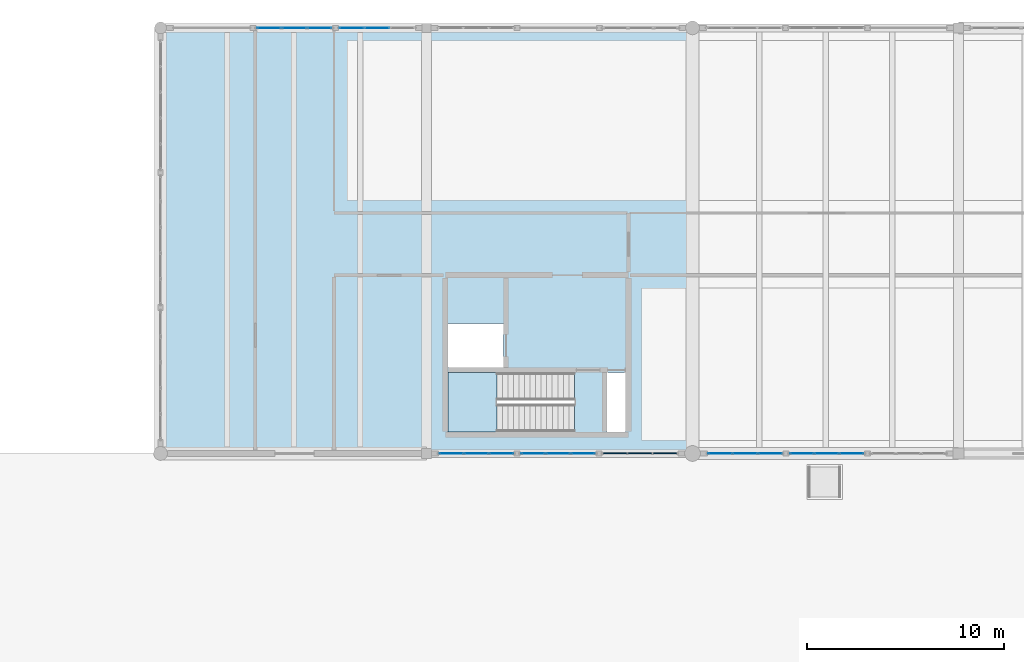
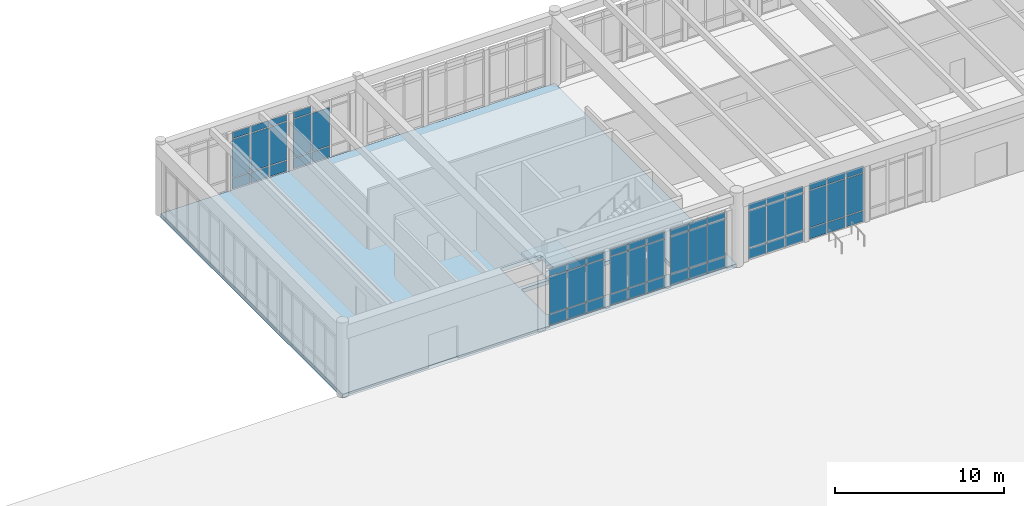
# One storey, part 95 of 138: 59 plates, 2 slabs, 8 elements without a shape of their own.
"""IFC4 building model written with IfcOpenShell, lengths in metres."""

from ifc_helpers import new_model, si_unit, direction, frame, origin, origin_2d, place, context, subcontext, project, spatial, polyline, rectangle, outline, extrude, material, layer, layer_set, type_object, element, aggregate, save


model = new_model("IFC4")

# Units and contexts
model_context = context("Model", 3, precision=1e-05, world=origin(), true_north=direction((0.0, 1.0)))
body_context = subcontext(model_context, "Body", "Model", "MODEL_VIEW")
ifc_project = project(units=[si_unit("LENGTHUNIT", "METRE"), si_unit("AREAUNIT", "SQUARE_METRE"), si_unit("VOLUMEUNIT", "CUBIC_METRE"), si_unit("PLANEANGLEUNIT", "RADIAN"), si_unit("MASSUNIT", "GRAM", prefix="KILO")], contexts=[model_context])

# Site, building, storey
site_placement = place(None, origin())
site = spatial("IfcSite", under=ifc_project, at=site_placement, CompositionType="ELEMENT")
building_placement = place(site_placement, origin())
building = spatial("IfcBuilding", under=site, at=building_placement, Name="Fikremerkos Civic Library", CompositionType="ELEMENT")
storey_placement = place(building_placement, origin())
storey = spatial("IfcBuildingStorey", under=building, at=storey_placement, Name="L00", CompositionType="ELEMENT", Elevation=0.0)

# Curtain wall, plates
ifc_material_1 = material(Name="Anodized aluminium Frame", Category="aluminium")
ifc_layer_1 = layer(ifc_material_1, 0.159912109375, Name="Anodized aluminium Frame")
ifc_layer_set_1 = layer_set([ifc_layer_1], Name="Anodized aluminium Frame")
curtain_wall_type_1 = type_object("IfcCurtainWallType", Name="Unitised curtain wall CW-17 4600x3600", PredefinedType="USERDEFINED", material=ifc_layer_set_1)
curtain_wall_1_placement = place(storey_placement, origin())
curtain_wall_1 = element("IfcCurtainWall", 1, at=curtain_wall_1_placement, inside=storey, type_object=curtain_wall_type_1, Name="Unitised curtain wall CW-17 L00 #35", ObjectType="UNITISED CURTAIN WALL", PredefinedType="USERDEFINED")
ifc_material_2 = material(Name="Solar control double glazing", Category="glass")
ifc_layer_2 = layer(ifc_material_2, 0.028076171875, Name="Solar control double glazing")
ifc_layer_set_2 = layer_set([ifc_layer_2], Name="Solar control double glazing")
plate_type_1 = type_object("IfcPlateType", Name="Curtain glazing panel CWP-01 28", PredefinedType="CURTAIN_PANEL", material=ifc_layer_set_2)
plate_1_placement = place(storey_placement, frame((81.142578125, 96.0, 0.06982421875), z_axis=(0.0, 0.0, 1.0), x_axis=(-1.0, 0.0, 0.0)))
plate_1 = element("IfcPlate", 2, at=plate_1_placement, type_object=plate_type_1, Name="CW-17 panel 1.1", PredefinedType="CURTAIN_PANEL", context=body_context, shape_type="SweptSolid", body=[
    extrude(rectangle(XDim=1.186279296875, YDim=0.028076171875, at=origin_2d()), origin(), (0.0, 0.0, 1.0), 0.7451171875),
])
plate_2_placement = place(storey_placement, frame((81.142578125, 96.0, 0.88525390625), z_axis=(0.0, 0.0, 1.0), x_axis=(-1.0, 0.0, 0.0)))
plate_2 = element("IfcPlate", 3, at=plate_2_placement, type_object=plate_type_1, Name="CW-17 panel 1.2", PredefinedType="CURTAIN_PANEL", context=body_context, shape_type="SweptSolid", body=[
    extrude(rectangle(XDim=1.186279296875, YDim=0.028076171875, at=origin_2d()), origin(), (0.0, 0.0, 1.0), 2.659912109375),
])
plate_3_placement = place(storey_placement, frame((81.142578125, 96.0, 3.61474609375), z_axis=(0.0, 0.0, 1.0), x_axis=(-1.0, 0.0, 0.0)))
plate_3 = element("IfcPlate", 4, at=plate_3_placement, type_object=plate_type_1, Name="CW-17 panel 1.3", PredefinedType="CURTAIN_PANEL", context=body_context, shape_type="SweptSolid", body=[
    extrude(rectangle(XDim=1.186279296875, YDim=0.028076171875, at=origin_2d()), origin(), (0.0, 0.0, 1.0), 0.445068359375),
])
plate_4_placement = place(storey_placement, frame((79.875, 96.0, 0.06982421875), z_axis=(0.0, 0.0, 1.0), x_axis=(-1.0, 0.0, 0.0)))
plate_4 = element("IfcPlate", 5, at=plate_4_placement, type_object=plate_type_1, Name="CW-17 panel 2.1", PredefinedType="CURTAIN_PANEL", context=body_context, shape_type="SweptSolid", body=[
    extrude(rectangle(XDim=1.21875, YDim=0.028076171875, at=origin_2d()), origin(), (0.0, 0.0, 1.0), 0.7451171875),
])
plate_5_placement = place(storey_placement, frame((79.875, 96.0, 0.88525390625), z_axis=(0.0, 0.0, 1.0), x_axis=(-1.0, 0.0, 0.0)))
plate_5 = element("IfcPlate", 6, at=plate_5_placement, type_object=plate_type_1, Name="CW-17 panel 2.2", PredefinedType="CURTAIN_PANEL", context=body_context, shape_type="SweptSolid", body=[
    extrude(rectangle(XDim=1.21875, YDim=0.028076171875, at=origin_2d()), origin(), (0.0, 0.0, 1.0), 2.659912109375),
])
plate_6_placement = place(storey_placement, frame((79.875, 96.0, 3.61474609375), z_axis=(0.0, 0.0, 1.0), x_axis=(-1.0, 0.0, 0.0)))
plate_6 = element("IfcPlate", 7, at=plate_6_placement, type_object=plate_type_1, Name="CW-17 panel 2.3", PredefinedType="CURTAIN_PANEL", context=body_context, shape_type="SweptSolid", body=[
    extrude(rectangle(XDim=1.21875, YDim=0.028076171875, at=origin_2d()), origin(), (0.0, 0.0, 1.0), 0.445068359375),
])
plate_7_placement = place(storey_placement, frame((78.607421875, 96.0, 0.06982421875), z_axis=(0.0, 0.0, 1.0), x_axis=(-1.0, 0.0, 0.0)))
plate_7 = element("IfcPlate", 8, at=plate_7_placement, type_object=plate_type_1, Name="CW-17 panel 3.1", PredefinedType="CURTAIN_PANEL", context=body_context, shape_type="SweptSolid", body=[
    extrude(rectangle(XDim=1.186279296875, YDim=0.028076171875, at=origin_2d()), origin(), (0.0, 0.0, 1.0), 0.7451171875),
])
plate_8_placement = place(storey_placement, frame((78.607421875, 96.0, 0.88525390625), z_axis=(0.0, 0.0, 1.0), x_axis=(-1.0, 0.0, 0.0)))
plate_8 = element("IfcPlate", 9, at=plate_8_placement, type_object=plate_type_1, Name="CW-17 panel 3.2", PredefinedType="CURTAIN_PANEL", context=body_context, shape_type="SweptSolid", body=[
    extrude(rectangle(XDim=1.186279296875, YDim=0.028076171875, at=origin_2d()), origin(), (0.0, 0.0, 1.0), 2.659912109375),
])
plate_9_placement = place(storey_placement, frame((78.607421875, 96.0, 3.61474609375), z_axis=(0.0, 0.0, 1.0), x_axis=(-1.0, 0.0, 0.0)))
plate_9 = element("IfcPlate", 10, at=plate_9_placement, type_object=plate_type_1, Name="CW-17 panel 3.3", PredefinedType="CURTAIN_PANEL", context=body_context, shape_type="SweptSolid", body=[
    extrude(rectangle(XDim=1.186279296875, YDim=0.028076171875, at=origin_2d()), origin(), (0.0, 0.0, 1.0), 0.445068359375),
])
aggregate(curtain_wall_1, [plate_1, plate_2, plate_3, plate_4, plate_5, plate_6, plate_7, plate_8, plate_9])

ifc_layer_3 = layer(ifc_material_1, 0.159912109375, Name="Anodized aluminium Frame")
ifc_layer_set_3 = layer_set([ifc_layer_3], Name="Anodized aluminium Frame")
curtain_wall_type_2 = type_object("IfcCurtainWallType", Name="Unitised curtain wall CW-05 3800x4100", PredefinedType="USERDEFINED", material=ifc_layer_set_3)
curtain_wall_2_placement = place(storey_placement, origin())
curtain_wall_2 = element("IfcCurtainWall", 11, at=curtain_wall_2_placement, inside=storey, type_object=curtain_wall_type_2, Name="Unitised curtain wall CW-05 L00 #41", ObjectType="UNITISED CURTAIN WALL", PredefinedType="USERDEFINED")
plate_10_placement = place(storey_placement, frame((65.2060546875, 117.60009765625, 0.06005859375), z_axis=(0.0, 0.0, 1.0), x_axis=(1.0, 0.0, 0.0)))
plate_10 = element("IfcPlate", 12, at=plate_10_placement, type_object=plate_type_1, Name="CW-05 panel 1.1", PredefinedType="CURTAIN_PANEL", context=body_context, shape_type="SweptSolid", body=[
    extrude(rectangle(XDim=1.2001953125, YDim=0.028076171875, at=origin_2d()), origin(), (0.0, 0.0, 1.0), 0.760009765625),
])
plate_11_placement = place(storey_placement, frame((65.2060546875, 117.60009765625, 0.8798828125), z_axis=(0.0, 0.0, 1.0), x_axis=(1.0, 0.0, 0.0)))
plate_11 = element("IfcPlate", 13, at=plate_11_placement, type_object=plate_type_1, Name="CW-05 panel 1.2", PredefinedType="CURTAIN_PANEL", context=body_context, shape_type="SweptSolid", body=[
    extrude(rectangle(XDim=1.2001953125, YDim=0.028076171875, at=origin_2d()), origin(), (0.0, 0.0, 1.0), 2.760009765625),
])
plate_12_placement = place(storey_placement, frame((65.2060546875, 117.60009765625, 3.699951171875), z_axis=(0.0, 0.0, 1.0), x_axis=(1.0, 0.0, 0.0)))
plate_12 = element("IfcPlate", 14, at=plate_12_placement, type_object=plate_type_1, Name="CW-05 panel 1.3", PredefinedType="CURTAIN_PANEL", context=body_context, shape_type="SweptSolid", body=[
    extrude(rectangle(XDim=1.2001953125, YDim=0.028076171875, at=origin_2d()), origin(), (0.0, 0.0, 1.0), 0.4599609375),
])
plate_13_placement = place(storey_placement, frame((66.487548828125, 117.60009765625, 0.06005859375), z_axis=(0.0, 0.0, 1.0), x_axis=(1.0, 0.0, 0.0)))
plate_13 = element("IfcPlate", 15, at=plate_13_placement, type_object=plate_type_1, Name="CW-05 panel 2.1", PredefinedType="CURTAIN_PANEL", context=body_context, shape_type="SweptSolid", body=[
    extrude(rectangle(XDim=1.232666015625, YDim=0.028076171875, at=origin_2d()), origin(), (0.0, 0.0, 1.0), 0.760009765625),
])
plate_14_placement = place(storey_placement, frame((66.487548828125, 117.60009765625, 0.8798828125), z_axis=(0.0, 0.0, 1.0), x_axis=(1.0, 0.0, 0.0)))
plate_14 = element("IfcPlate", 16, at=plate_14_placement, type_object=plate_type_1, Name="CW-05 panel 2.2", PredefinedType="CURTAIN_PANEL", context=body_context, shape_type="SweptSolid", body=[
    extrude(rectangle(XDim=1.232666015625, YDim=0.028076171875, at=origin_2d()), origin(), (0.0, 0.0, 1.0), 2.760009765625),
])
plate_15_placement = place(storey_placement, frame((66.487548828125, 117.60009765625, 3.699951171875), z_axis=(0.0, 0.0, 1.0), x_axis=(1.0, 0.0, 0.0)))
plate_15 = element("IfcPlate", 17, at=plate_15_placement, type_object=plate_type_1, Name="CW-05 panel 2.3", PredefinedType="CURTAIN_PANEL", context=body_context, shape_type="SweptSolid", body=[
    extrude(rectangle(XDim=1.232666015625, YDim=0.028076171875, at=origin_2d()), origin(), (0.0, 0.0, 1.0), 0.4599609375),
])
plate_16_placement = place(storey_placement, frame((67.768798828125, 117.60009765625, 0.06005859375), z_axis=(0.0, 0.0, 1.0), x_axis=(1.0, 0.0, 0.0)))
plate_16 = element("IfcPlate", 18, at=plate_16_placement, type_object=plate_type_1, Name="CW-05 panel 3.1", PredefinedType="CURTAIN_PANEL", context=body_context, shape_type="SweptSolid", body=[
    extrude(rectangle(XDim=1.2001953125, YDim=0.028076171875, at=origin_2d()), origin(), (0.0, 0.0, 1.0), 0.760009765625),
])
plate_17_placement = place(storey_placement, frame((67.768798828125, 117.60009765625, 0.8798828125), z_axis=(0.0, 0.0, 1.0), x_axis=(1.0, 0.0, 0.0)))
plate_17 = element("IfcPlate", 19, at=plate_17_placement, type_object=plate_type_1, Name="CW-05 panel 3.2", PredefinedType="CURTAIN_PANEL", context=body_context, shape_type="SweptSolid", body=[
    extrude(rectangle(XDim=1.2001953125, YDim=0.028076171875, at=origin_2d()), origin(), (0.0, 0.0, 1.0), 2.760009765625),
])
plate_18_placement = place(storey_placement, frame((67.768798828125, 117.60009765625, 3.699951171875), z_axis=(0.0, 0.0, 1.0), x_axis=(1.0, 0.0, 0.0)))
plate_18 = element("IfcPlate", 20, at=plate_18_placement, type_object=plate_type_1, Name="CW-05 panel 3.3", PredefinedType="CURTAIN_PANEL", context=body_context, shape_type="SweptSolid", body=[
    extrude(rectangle(XDim=1.2001953125, YDim=0.028076171875, at=origin_2d()), origin(), (0.0, 0.0, 1.0), 0.4599609375),
])
aggregate(curtain_wall_2, [plate_10, plate_11, plate_12, plate_13, plate_14, plate_15, plate_16, plate_17, plate_18])

ifc_layer_4 = layer(ifc_material_1, 0.159912109375, Name="Anodized aluminium Frame")
ifc_layer_set_4 = layer_set([ifc_layer_4], Name="Anodized aluminium Frame")
curtain_wall_type_3 = type_object("IfcCurtainWallType", Name="Unitised curtain wall CW-14 4100x3200", PredefinedType="USERDEFINED", material=ifc_layer_set_4)
curtain_wall_3_placement = place(storey_placement, origin())
curtain_wall_3 = element("IfcCurtainWall", 21, at=curtain_wall_3_placement, inside=storey, type_object=curtain_wall_type_3, Name="Unitised curtain wall CW-14 L00 #32", ObjectType="UNITISED CURTAIN WALL", PredefinedType="USERDEFINED")
ifc_layer_5 = layer(ifc_material_2, 0.035888671875, Name="Solar control double glazing")
ifc_layer_set_5 = layer_set([ifc_layer_5], Name="Solar control double glazing")
plate_type_2 = type_object("IfcPlateType", Name="Curtain glazing panel CWP-02 36", PredefinedType="CURTAIN_PANEL", material=ifc_layer_set_5)
plate_19_placement = place(storey_placement, frame((94.778564453125, 96.0, 0.06005859375), z_axis=(0.0, 0.0, 1.0), x_axis=(-1.0, 0.0, 0.0)))
plate_19 = element("IfcPlate", 22, at=plate_19_placement, type_object=plate_type_2, Name="CW-14 panel 1.1", PredefinedType="CURTAIN_PANEL", context=body_context, shape_type="SweptSolid", body=[
    extrude(rectangle(XDim=1.19091796875, YDim=0.035888671875, at=origin_2d()), origin(), (0.0, 0.0, 1.0), 0.760009765625),
])
plate_20_placement = place(storey_placement, frame((94.778564453125, 96.0, 0.880126953125), z_axis=(0.0, 0.0, 1.0), x_axis=(-1.0, 0.0, 0.0)))
plate_20 = element("IfcPlate", 23, at=plate_20_placement, type_object=plate_type_2, Name="CW-14 panel 1.2", PredefinedType="CURTAIN_PANEL", context=body_context, shape_type="SweptSolid", body=[
    extrude(rectangle(XDim=1.19091796875, YDim=0.035888671875, at=origin_2d()), origin(), (0.0, 0.0, 1.0), 2.669921875),
])
plate_21_placement = place(storey_placement, frame((94.778564453125, 96.0, 3.610107421875), z_axis=(0.0, 0.0, 1.0), x_axis=(-1.0, 0.0, 0.0)))
plate_21 = element("IfcPlate", 24, at=plate_21_placement, type_object=plate_type_2, Name="CW-14 panel 1.3", PredefinedType="CURTAIN_PANEL", context=body_context, shape_type="SweptSolid", body=[
    extrude(rectangle(XDim=1.19091796875, YDim=0.035888671875, at=origin_2d()), origin(), (0.0, 0.0, 1.0), 0.4599609375),
])
plate_22_placement = place(storey_placement, frame((93.512451171875, 96.0, 0.06005859375), z_axis=(0.0, 0.0, 1.0), x_axis=(-1.0, 0.0, 0.0)))
plate_22 = element("IfcPlate", 25, at=plate_22_placement, type_object=plate_type_2, Name="CW-14 panel 2.1", PredefinedType="CURTAIN_PANEL", context=body_context, shape_type="SweptSolid", body=[
    extrude(rectangle(XDim=1.220947265625, YDim=0.035888671875, at=origin_2d()), origin(), (0.0, 0.0, 1.0), 0.760009765625),
])
plate_23_placement = place(storey_placement, frame((93.512451171875, 96.0, 0.880126953125), z_axis=(0.0, 0.0, 1.0), x_axis=(-1.0, 0.0, 0.0)))
plate_23 = element("IfcPlate", 26, at=plate_23_placement, type_object=plate_type_2, Name="CW-14 panel 2.2", PredefinedType="CURTAIN_PANEL", context=body_context, shape_type="SweptSolid", body=[
    extrude(rectangle(XDim=1.220947265625, YDim=0.035888671875, at=origin_2d()), origin(), (0.0, 0.0, 1.0), 2.669921875),
])
plate_24_placement = place(storey_placement, frame((93.512451171875, 96.0, 3.610107421875), z_axis=(0.0, 0.0, 1.0), x_axis=(-1.0, 0.0, 0.0)))
plate_24 = element("IfcPlate", 27, at=plate_24_placement, type_object=plate_type_2, Name="CW-14 panel 2.3", PredefinedType="CURTAIN_PANEL", context=body_context, shape_type="SweptSolid", body=[
    extrude(rectangle(XDim=1.220947265625, YDim=0.035888671875, at=origin_2d()), origin(), (0.0, 0.0, 1.0), 0.4599609375),
])
plate_25_placement = place(storey_placement, frame((92.24658203125, 96.0, 0.06005859375), z_axis=(0.0, 0.0, 1.0), x_axis=(-1.0, 0.0, 0.0)))
plate_25 = element("IfcPlate", 28, at=plate_25_placement, type_object=plate_type_2, Name="CW-14 panel 3.1", PredefinedType="CURTAIN_PANEL", context=body_context, shape_type="SweptSolid", body=[
    extrude(rectangle(XDim=1.19091796875, YDim=0.035888671875, at=origin_2d()), origin(), (0.0, 0.0, 1.0), 0.760009765625),
])
plate_26_placement = place(storey_placement, frame((92.24658203125, 96.0, 0.880126953125), z_axis=(0.0, 0.0, 1.0), x_axis=(-1.0, 0.0, 0.0)))
plate_26 = element("IfcPlate", 29, at=plate_26_placement, type_object=plate_type_2, Name="CW-14 panel 3.2", PredefinedType="CURTAIN_PANEL", context=body_context, shape_type="SweptSolid", body=[
    extrude(rectangle(XDim=1.19091796875, YDim=0.035888671875, at=origin_2d()), origin(), (0.0, 0.0, 1.0), 2.669921875),
])
plate_27_placement = place(storey_placement, frame((92.24658203125, 96.0, 3.610107421875), z_axis=(0.0, 0.0, 1.0), x_axis=(-1.0, 0.0, 0.0)))
plate_27 = element("IfcPlate", 30, at=plate_27_placement, type_object=plate_type_2, Name="CW-14 panel 3.3", PredefinedType="CURTAIN_PANEL", context=body_context, shape_type="SweptSolid", body=[
    extrude(rectangle(XDim=1.19091796875, YDim=0.035888671875, at=origin_2d()), origin(), (0.0, 0.0, 1.0), 0.4599609375),
])
aggregate(curtain_wall_3, [plate_19, plate_20, plate_21, plate_22, plate_23, plate_24, plate_25, plate_26, plate_27])

ifc_layer_6 = layer(ifc_material_1, 0.159912109375, Name="Anodized aluminium Frame")
ifc_layer_set_6 = layer_set([ifc_layer_6], Name="Anodized aluminium Frame")
curtain_wall_type_4 = type_object("IfcCurtainWallType", Name="Unitised curtain wall CW-18 2700x3400", PredefinedType="USERDEFINED", material=ifc_layer_set_6)
curtain_wall_4_placement = place(storey_placement, origin())
curtain_wall_4 = element("IfcCurtainWall", 31, at=curtain_wall_4_placement, inside=storey, type_object=curtain_wall_type_4, Name="Unitised curtain wall CW-18 L00 #36", ObjectType="UNITISED CURTAIN WALL", PredefinedType="USERDEFINED")
plate_28_placement = place(storey_placement, frame((76.992431640625, 96.0, 0.06982421875), z_axis=(0.0, 0.0, 1.0), x_axis=(-1.0, 0.0, 0.0)))
plate_28 = element("IfcPlate", 32, at=plate_28_placement, type_object=plate_type_2, Name="CW-18 panel 1.1", PredefinedType="CURTAIN_PANEL", context=body_context, shape_type="SweptSolid", body=[
    extrude(rectangle(XDim=1.19384765625, YDim=0.035888671875, at=origin_2d()), origin(), (0.0, 0.0, 1.0), 0.7451171875),
])
plate_29_placement = place(storey_placement, frame((76.992431640625, 96.0, 0.88525390625), z_axis=(0.0, 0.0, 1.0), x_axis=(-1.0, 0.0, 0.0)))
plate_29 = element("IfcPlate", 33, at=plate_29_placement, type_object=plate_type_2, Name="CW-18 panel 1.2", PredefinedType="CURTAIN_PANEL", context=body_context, shape_type="SweptSolid", body=[
    extrude(rectangle(XDim=1.19384765625, YDim=0.035888671875, at=origin_2d()), origin(), (0.0, 0.0, 1.0), 2.659912109375),
])
plate_30_placement = place(storey_placement, frame((76.992431640625, 96.0, 3.61474609375), z_axis=(0.0, 0.0, 1.0), x_axis=(-1.0, 0.0, 0.0)))
plate_30 = element("IfcPlate", 34, at=plate_30_placement, type_object=plate_type_2, Name="CW-18 panel 1.3", PredefinedType="CURTAIN_PANEL", context=body_context, shape_type="SweptSolid", body=[
    extrude(rectangle(XDim=1.19384765625, YDim=0.035888671875, at=origin_2d()), origin(), (0.0, 0.0, 1.0), 0.445068359375),
])
plate_31_placement = place(storey_placement, frame((75.7236328125, 96.0, 0.06982421875), z_axis=(0.0, 0.0, 1.0), x_axis=(-1.0, 0.0, 0.0)))
plate_31 = element("IfcPlate", 35, at=plate_31_placement, type_object=plate_type_2, Name="CW-18 panel 2.1", PredefinedType="CURTAIN_PANEL", context=body_context, shape_type="SweptSolid", body=[
    extrude(rectangle(XDim=1.223876953125, YDim=0.035888671875, at=origin_2d()), origin(), (0.0, 0.0, 1.0), 0.7451171875),
])
plate_32_placement = place(storey_placement, frame((75.7236328125, 96.0, 0.88525390625), z_axis=(0.0, 0.0, 1.0), x_axis=(-1.0, 0.0, 0.0)))
plate_32 = element("IfcPlate", 36, at=plate_32_placement, type_object=plate_type_2, Name="CW-18 panel 2.2", PredefinedType="CURTAIN_PANEL", context=body_context, shape_type="SweptSolid", body=[
    extrude(rectangle(XDim=1.223876953125, YDim=0.035888671875, at=origin_2d()), origin(), (0.0, 0.0, 1.0), 2.659912109375),
])
plate_33_placement = place(storey_placement, frame((75.7236328125, 96.0, 3.61474609375), z_axis=(0.0, 0.0, 1.0), x_axis=(-1.0, 0.0, 0.0)))
plate_33 = element("IfcPlate", 37, at=plate_33_placement, type_object=plate_type_2, Name="CW-18 panel 2.3", PredefinedType="CURTAIN_PANEL", context=body_context, shape_type="SweptSolid", body=[
    extrude(rectangle(XDim=1.223876953125, YDim=0.035888671875, at=origin_2d()), origin(), (0.0, 0.0, 1.0), 0.445068359375),
])
plate_34_placement = place(storey_placement, frame((74.454833984375, 96.0, 0.06982421875), z_axis=(0.0, 0.0, 1.0), x_axis=(-1.0, 0.0, 0.0)))
plate_34 = element("IfcPlate", 38, at=plate_34_placement, type_object=plate_type_2, Name="CW-18 panel 3.1", PredefinedType="CURTAIN_PANEL", context=body_context, shape_type="SweptSolid", body=[
    extrude(rectangle(XDim=1.19384765625, YDim=0.035888671875, at=origin_2d()), origin(), (0.0, 0.0, 1.0), 0.7451171875),
])
plate_35_placement = place(storey_placement, frame((74.454833984375, 96.0, 0.88525390625), z_axis=(0.0, 0.0, 1.0), x_axis=(-1.0, 0.0, 0.0)))
plate_35 = element("IfcPlate", 39, at=plate_35_placement, type_object=plate_type_2, Name="CW-18 panel 3.2", PredefinedType="CURTAIN_PANEL", context=body_context, shape_type="SweptSolid", body=[
    extrude(rectangle(XDim=1.19384765625, YDim=0.035888671875, at=origin_2d()), origin(), (0.0, 0.0, 1.0), 2.659912109375),
])
plate_36_placement = place(storey_placement, frame((74.454833984375, 96.0, 3.61474609375), z_axis=(0.0, 0.0, 1.0), x_axis=(-1.0, 0.0, 0.0)))
plate_36 = element("IfcPlate", 40, at=plate_36_placement, type_object=plate_type_2, Name="CW-18 panel 3.3", PredefinedType="CURTAIN_PANEL", context=body_context, shape_type="SweptSolid", body=[
    extrude(rectangle(XDim=1.19384765625, YDim=0.035888671875, at=origin_2d()), origin(), (0.0, 0.0, 1.0), 0.445068359375),
])
aggregate(curtain_wall_4, [plate_28, plate_29, plate_30, plate_31, plate_32, plate_33, plate_34, plate_35, plate_36])

ifc_layer_7 = layer(ifc_material_1, 0.159912109375, Name="Anodized aluminium Frame")
ifc_layer_set_7 = layer_set([ifc_layer_7], Name="Anodized aluminium Frame")
curtain_wall_type_5 = type_object("IfcCurtainWallType", Name="Unitised curtain wall CW-06 4200x4100", PredefinedType="USERDEFINED", material=ifc_layer_set_7)
curtain_wall_5_placement = place(storey_placement, origin())
curtain_wall_5 = element("IfcCurtainWall", 41, at=curtain_wall_5_placement, inside=storey, type_object=curtain_wall_type_5, Name="Unitised curtain wall CW-06 L00 #42", ObjectType="UNITISED CURTAIN WALL", PredefinedType="USERDEFINED")
plate_37_placement = place(storey_placement, frame((69.39794921875, 117.60009765625, 0.06005859375), z_axis=(0.0, 0.0, 1.0), x_axis=(1.0, 0.0, 0.0)))
plate_37 = element("IfcPlate", 42, at=plate_37_placement, type_object=plate_type_2, Name="CW-06 panel 1.1", PredefinedType="CURTAIN_PANEL", context=body_context, shape_type="SweptSolid", body=[
    extrude(rectangle(XDim=1.207763671875, YDim=0.035888671875, at=origin_2d()), origin(), (0.0, 0.0, 1.0), 0.760009765625),
])
plate_38_placement = place(storey_placement, frame((69.39794921875, 117.60009765625, 0.8798828125), z_axis=(0.0, 0.0, 1.0), x_axis=(1.0, 0.0, 0.0)))
plate_38 = element("IfcPlate", 43, at=plate_38_placement, type_object=plate_type_2, Name="CW-06 panel 1.2", PredefinedType="CURTAIN_PANEL", context=body_context, shape_type="SweptSolid", body=[
    extrude(rectangle(XDim=1.207763671875, YDim=0.035888671875, at=origin_2d()), origin(), (0.0, 0.0, 1.0), 2.760009765625),
])
plate_39_placement = place(storey_placement, frame((69.39794921875, 117.60009765625, 3.699951171875), z_axis=(0.0, 0.0, 1.0), x_axis=(1.0, 0.0, 0.0)))
plate_39 = element("IfcPlate", 44, at=plate_39_placement, type_object=plate_type_2, Name="CW-06 panel 1.3", PredefinedType="CURTAIN_PANEL", context=body_context, shape_type="SweptSolid", body=[
    extrude(rectangle(XDim=1.207763671875, YDim=0.035888671875, at=origin_2d()), origin(), (0.0, 0.0, 1.0), 0.4599609375),
])
plate_40_placement = place(storey_placement, frame((70.680419921875, 117.60009765625, 0.06005859375), z_axis=(0.0, 0.0, 1.0), x_axis=(1.0, 0.0, 0.0)))
plate_40 = element("IfcPlate", 45, at=plate_40_placement, type_object=plate_type_2, Name="CW-06 panel 2.1", PredefinedType="CURTAIN_PANEL", context=body_context, shape_type="SweptSolid", body=[
    extrude(rectangle(XDim=1.237548828125, YDim=0.035888671875, at=origin_2d()), origin(), (0.0, 0.0, 1.0), 0.760009765625),
])
plate_41_placement = place(storey_placement, frame((70.680419921875, 117.60009765625, 0.8798828125), z_axis=(0.0, 0.0, 1.0), x_axis=(1.0, 0.0, 0.0)))
plate_41 = element("IfcPlate", 46, at=plate_41_placement, type_object=plate_type_2, Name="CW-06 panel 2.2", PredefinedType="CURTAIN_PANEL", context=body_context, shape_type="SweptSolid", body=[
    extrude(rectangle(XDim=1.237548828125, YDim=0.035888671875, at=origin_2d()), origin(), (0.0, 0.0, 1.0), 2.760009765625),
])
aggregate(curtain_wall_5, [plate_37, plate_38, plate_39, plate_40, plate_41])

ifc_layer_8 = layer(ifc_material_1, 0.159912109375, Name="Anodized aluminium Frame")
ifc_layer_set_8 = layer_set([ifc_layer_8], Name="Anodized aluminium Frame")
curtain_wall_type_6 = type_object("IfcCurtainWallType", Name="Unitised curtain wall CW-15 2900x3600", PredefinedType="USERDEFINED", material=ifc_layer_set_8)
curtain_wall_6_placement = place(storey_placement, origin())
curtain_wall_6 = element("IfcCurtainWall", 47, at=curtain_wall_6_placement, inside=storey, type_object=curtain_wall_type_6, Name="Unitised curtain wall CW-15 L00 #33", ObjectType="UNITISED CURTAIN WALL", PredefinedType="USERDEFINED")
ifc_material_3 = material(Name="Insulated aluminium spandrel", Category="aluminium")
ifc_layer_9 = layer(ifc_material_3, 0.044921875, Name="Insulated aluminium spandrel")
ifc_layer_set_9 = layer_set([ifc_layer_9], Name="Insulated aluminium spandrel")
plate_type_3 = type_object("IfcPlateType", Name="Curtain spandrel panel CSP-01 45", PredefinedType="CURTAIN_PANEL", material=ifc_layer_set_9)
plate_42_placement = place(storey_placement, frame((90.635498046875, 96.0, 0.06982421875), z_axis=(0.0, 0.0, 1.0), x_axis=(-1.0, 0.0, 0.0)))
plate_42 = element("IfcPlate", 48, at=plate_42_placement, type_object=plate_type_3, Name="CW-15 panel 1.1", PredefinedType="CURTAIN_PANEL", context=body_context, shape_type="SweptSolid", body=[
    extrude(rectangle(XDim=1.19091796875, YDim=0.044921875, at=origin_2d()), origin(), (0.0, 0.0, 1.0), 0.7451171875),
])
plate_43_placement = place(storey_placement, frame((90.635498046875, 96.0, 0.88525390625), z_axis=(0.0, 0.0, 1.0), x_axis=(-1.0, 0.0, 0.0)))
plate_43 = element("IfcPlate", 49, at=plate_43_placement, type_object=plate_type_3, Name="CW-15 panel 1.2", PredefinedType="CURTAIN_PANEL", context=body_context, shape_type="SweptSolid", body=[
    extrude(rectangle(XDim=1.19091796875, YDim=0.044921875, at=origin_2d()), origin(), (0.0, 0.0, 1.0), 2.659912109375),
])
plate_44_placement = place(storey_placement, frame((90.635498046875, 96.0, 3.61474609375), z_axis=(0.0, 0.0, 1.0), x_axis=(-1.0, 0.0, 0.0)))
plate_44 = element("IfcPlate", 50, at=plate_44_placement, type_object=plate_type_3, Name="CW-15 panel 1.3", PredefinedType="CURTAIN_PANEL", context=body_context, shape_type="SweptSolid", body=[
    extrude(rectangle(XDim=1.19091796875, YDim=0.044921875, at=origin_2d()), origin(), (0.0, 0.0, 1.0), 0.445068359375),
])
plate_45_placement = place(storey_placement, frame((89.369384765625, 96.0, 0.06982421875), z_axis=(0.0, 0.0, 1.0), x_axis=(-1.0, 0.0, 0.0)))
plate_45 = element("IfcPlate", 51, at=plate_45_placement, type_object=plate_type_3, Name="CW-15 panel 2.1", PredefinedType="CURTAIN_PANEL", context=body_context, shape_type="SweptSolid", body=[
    extrude(rectangle(XDim=1.220947265625, YDim=0.044921875, at=origin_2d()), origin(), (0.0, 0.0, 1.0), 0.7451171875),
])
plate_46_placement = place(storey_placement, frame((89.369384765625, 96.0, 0.88525390625), z_axis=(0.0, 0.0, 1.0), x_axis=(-1.0, 0.0, 0.0)))
plate_46 = element("IfcPlate", 52, at=plate_46_placement, type_object=plate_type_3, Name="CW-15 panel 2.2", PredefinedType="CURTAIN_PANEL", context=body_context, shape_type="SweptSolid", body=[
    extrude(rectangle(XDim=1.220947265625, YDim=0.044921875, at=origin_2d()), origin(), (0.0, 0.0, 1.0), 2.659912109375),
])
plate_47_placement = place(storey_placement, frame((89.369384765625, 96.0, 3.61474609375), z_axis=(0.0, 0.0, 1.0), x_axis=(-1.0, 0.0, 0.0)))
plate_47 = element("IfcPlate", 53, at=plate_47_placement, type_object=plate_type_3, Name="CW-15 panel 2.3", PredefinedType="CURTAIN_PANEL", context=body_context, shape_type="SweptSolid", body=[
    extrude(rectangle(XDim=1.220947265625, YDim=0.044921875, at=origin_2d()), origin(), (0.0, 0.0, 1.0), 0.445068359375),
])
plate_48_placement = place(storey_placement, frame((88.103515625, 96.0, 0.06982421875), z_axis=(0.0, 0.0, 1.0), x_axis=(-1.0, 0.0, 0.0)))
plate_48 = element("IfcPlate", 54, at=plate_48_placement, type_object=plate_type_3, Name="CW-15 panel 3.1", PredefinedType="CURTAIN_PANEL", context=body_context, shape_type="SweptSolid", body=[
    extrude(rectangle(XDim=1.19091796875, YDim=0.044921875, at=origin_2d()), origin(), (0.0, 0.0, 1.0), 0.7451171875),
])
plate_49_placement = place(storey_placement, frame((88.103515625, 96.0, 0.88525390625), z_axis=(0.0, 0.0, 1.0), x_axis=(-1.0, 0.0, 0.0)))
plate_49 = element("IfcPlate", 55, at=plate_49_placement, type_object=plate_type_3, Name="CW-15 panel 3.2", PredefinedType="CURTAIN_PANEL", context=body_context, shape_type="SweptSolid", body=[
    extrude(rectangle(XDim=1.19091796875, YDim=0.044921875, at=origin_2d()), origin(), (0.0, 0.0, 1.0), 2.659912109375),
])
plate_50_placement = place(storey_placement, frame((88.103515625, 96.0, 3.61474609375), z_axis=(0.0, 0.0, 1.0), x_axis=(-1.0, 0.0, 0.0)))
plate_50 = element("IfcPlate", 56, at=plate_50_placement, type_object=plate_type_3, Name="CW-15 panel 3.3", PredefinedType="CURTAIN_PANEL", context=body_context, shape_type="SweptSolid", body=[
    extrude(rectangle(XDim=1.19091796875, YDim=0.044921875, at=origin_2d()), origin(), (0.0, 0.0, 1.0), 0.445068359375),
])
aggregate(curtain_wall_6, [plate_42, plate_43, plate_44, plate_45, plate_46, plate_47, plate_48, plate_49, plate_50])

ifc_layer_10 = layer(ifc_material_1, 0.159912109375, Name="Anodized aluminium Frame")
ifc_layer_set_10 = layer_set([ifc_layer_10], Name="Anodized aluminium Frame")
curtain_wall_type_7 = type_object("IfcCurtainWallType", Name="Unitised curtain wall CW-16 3100x4100", PredefinedType="USERDEFINED", material=ifc_layer_set_10)
curtain_wall_7_placement = place(storey_placement, origin())
curtain_wall_7 = element("IfcCurtainWall", 57, at=curtain_wall_7_placement, inside=storey, type_object=curtain_wall_type_7, Name="Unitised curtain wall CW-16 L00 #34", ObjectType="UNITISED CURTAIN WALL", PredefinedType="USERDEFINED")
ifc_layer_11 = layer(ifc_material_3, 0.054931640625, Name="Insulated aluminium spandrel")
ifc_layer_set_11 = layer_set([ifc_layer_11], Name="Insulated aluminium spandrel")
plate_type_4 = type_object("IfcPlateType", Name="Curtain spandrel panel CSP-02 55", PredefinedType="CURTAIN_PANEL", material=ifc_layer_set_11)
plate_51_placement = place(storey_placement, frame((85.295166015625, 96.0, 0.06982421875), z_axis=(0.0, 0.0, 1.0), x_axis=(-1.0, 0.0, 0.0)))
plate_51 = element("IfcPlate", 58, at=plate_51_placement, type_object=plate_type_4, Name="CW-16 panel 1.1", PredefinedType="CURTAIN_PANEL", context=body_context, shape_type="SweptSolid", body=[
    extrude(rectangle(XDim=1.19384765625, YDim=0.054931640625, at=origin_2d()), origin(), (0.0, 0.0, 1.0), 0.7451171875),
])
plate_52_placement = place(storey_placement, frame((85.295166015625, 96.0, 0.88525390625), z_axis=(0.0, 0.0, 1.0), x_axis=(-1.0, 0.0, 0.0)))
plate_52 = element("IfcPlate", 59, at=plate_52_placement, type_object=plate_type_4, Name="CW-16 panel 1.2", PredefinedType="CURTAIN_PANEL", context=body_context, shape_type="SweptSolid", body=[
    extrude(rectangle(XDim=1.19384765625, YDim=0.054931640625, at=origin_2d()), origin(), (0.0, 0.0, 1.0), 2.659912109375),
])
plate_53_placement = place(storey_placement, frame((85.295166015625, 96.0, 3.61474609375), z_axis=(0.0, 0.0, 1.0), x_axis=(-1.0, 0.0, 0.0)))
plate_53 = element("IfcPlate", 60, at=plate_53_placement, type_object=plate_type_4, Name="CW-16 panel 1.3", PredefinedType="CURTAIN_PANEL", context=body_context, shape_type="SweptSolid", body=[
    extrude(rectangle(XDim=1.19384765625, YDim=0.054931640625, at=origin_2d()), origin(), (0.0, 0.0, 1.0), 0.445068359375),
])
plate_54_placement = place(storey_placement, frame((84.0263671875, 96.0, 0.06982421875), z_axis=(0.0, 0.0, 1.0), x_axis=(-1.0, 0.0, 0.0)))
plate_54 = element("IfcPlate", 61, at=plate_54_placement, type_object=plate_type_4, Name="CW-16 panel 2.1", PredefinedType="CURTAIN_PANEL", context=body_context, shape_type="SweptSolid", body=[
    extrude(rectangle(XDim=1.223876953125, YDim=0.054931640625, at=origin_2d()), origin(), (0.0, 0.0, 1.0), 0.7451171875),
])
plate_55_placement = place(storey_placement, frame((84.0263671875, 96.0, 0.88525390625), z_axis=(0.0, 0.0, 1.0), x_axis=(-1.0, 0.0, 0.0)))
plate_55 = element("IfcPlate", 62, at=plate_55_placement, type_object=plate_type_4, Name="CW-16 panel 2.2", PredefinedType="CURTAIN_PANEL", context=body_context, shape_type="SweptSolid", body=[
    extrude(rectangle(XDim=1.223876953125, YDim=0.054931640625, at=origin_2d()), origin(), (0.0, 0.0, 1.0), 2.659912109375),
])
plate_56_placement = place(storey_placement, frame((84.0263671875, 96.0, 3.61474609375), z_axis=(0.0, 0.0, 1.0), x_axis=(-1.0, 0.0, 0.0)))
plate_56 = element("IfcPlate", 63, at=plate_56_placement, type_object=plate_type_4, Name="CW-16 panel 2.3", PredefinedType="CURTAIN_PANEL", context=body_context, shape_type="SweptSolid", body=[
    extrude(rectangle(XDim=1.223876953125, YDim=0.054931640625, at=origin_2d()), origin(), (0.0, 0.0, 1.0), 0.445068359375),
])
plate_57_placement = place(storey_placement, frame((82.757568359375, 96.0, 0.06982421875), z_axis=(0.0, 0.0, 1.0), x_axis=(-1.0, 0.0, 0.0)))
plate_57 = element("IfcPlate", 64, at=plate_57_placement, type_object=plate_type_4, Name="CW-16 panel 3.1", PredefinedType="CURTAIN_PANEL", context=body_context, shape_type="SweptSolid", body=[
    extrude(rectangle(XDim=1.19384765625, YDim=0.054931640625, at=origin_2d()), origin(), (0.0, 0.0, 1.0), 0.7451171875),
])
plate_58_placement = place(storey_placement, frame((82.757568359375, 96.0, 0.88525390625), z_axis=(0.0, 0.0, 1.0), x_axis=(-1.0, 0.0, 0.0)))
plate_58 = element("IfcPlate", 65, at=plate_58_placement, type_object=plate_type_4, Name="CW-16 panel 3.2", PredefinedType="CURTAIN_PANEL", context=body_context, shape_type="SweptSolid", body=[
    extrude(rectangle(XDim=1.19384765625, YDim=0.054931640625, at=origin_2d()), origin(), (0.0, 0.0, 1.0), 2.659912109375),
])
plate_59_placement = place(storey_placement, frame((82.757568359375, 96.0, 3.61474609375), z_axis=(0.0, 0.0, 1.0), x_axis=(-1.0, 0.0, 0.0)))
plate_59 = element("IfcPlate", 66, at=plate_59_placement, type_object=plate_type_4, Name="CW-16 panel 3.3", PredefinedType="CURTAIN_PANEL", context=body_context, shape_type="SweptSolid", body=[
    extrude(rectangle(XDim=1.19384765625, YDim=0.054931640625, at=origin_2d()), origin(), (0.0, 0.0, 1.0), 0.445068359375),
])
aggregate(curtain_wall_7, [plate_51, plate_52, plate_53, plate_54, plate_55, plate_56, plate_57, plate_58, plate_59])

# Stair, slab
ifc_material_4 = material(Name="Concrete C40/50", Category="concrete")
stair_type = type_object("IfcStairType", Name="Half turn stair ST-HT-11 W1400 H5400", PredefinedType="HALF_TURN_STAIR", material=ifc_material_4)
stair_placement = place(storey_placement, origin())
stair = element("IfcStair", 67, at=stair_placement, inside=storey, type_object=stair_type, Name="L00 ST-K5", PredefinedType="HALF_TURN_STAIR")
ifc_layer_12 = layer(ifc_material_4, 0.199951171875, Name="Concrete C40/50")
ifc_layer_set_12 = layer_set([ifc_layer_12], Name="Concrete C40/50")
slab_type_1 = type_object("IfcSlabType", Name="Stair landing slab SLS-01 200", PredefinedType="LANDING", material=ifc_layer_set_12)
slab_1_placement = place(storey_placement, frame((0.0, 0.0, 2.5)))
slab_1 = element("IfcSlab", 68, at=slab_1_placement, type_object=slab_type_1, Name="ST-K5 landing 1", PredefinedType="LANDING", context=body_context, shape_type="SweptSolid", body=[
    extrude(outline(polyline([(76.780029296875, 100.10009765625), (74.300048828125, 100.10009765625), (74.300048828125, 97.10009765625), (76.780029296875, 97.10009765625), (76.780029296875, 100.10009765625)])), origin(), (0.0, 0.0, 1.0), 0.199951171875),
])
aggregate(stair, [slab_1])

# Slab
ifc_layer_13 = layer(ifc_material_4, 0.280029296875, Name="Concrete C40/50")
ifc_layer_set_13 = layer_set([ifc_layer_13], Name="Concrete C40/50")
slab_type_2 = type_object("IfcSlabType", Name="Suspended floor slab SFS-04 280", PredefinedType="FLOOR", material=ifc_layer_set_13)
slab_2_placement = place(storey_placement, frame((0.0, 0.0, -0.280029296875)))
element("IfcSlab", 69, at=slab_2_placement, inside=storey, type_object=slab_type_2, Name="Floor slab SFS-04 SLB-L00-V2-P-1", PredefinedType="FLOOR", context=body_context, shape_type="SweptSolid", body=[
    extrude(outline(polyline([(59.699951171875, 96.0), (86.699951171875, 96.0), (86.699951171875, 117.60009765625), (59.699951171875, 117.60009765625), (59.699951171875, 96.0)]), holes=[polyline([(74.300048828125, 97.10009765625), (80.699951171875, 97.10009765625), (80.699951171875, 100.10009765625), (74.300048828125, 100.10009765625), (74.300048828125, 97.10009765625)]), polyline([(74.300048828125, 100.360107421875), (77.10009765625, 100.360107421875), (77.10009765625, 102.60009765625), (74.300048828125, 102.60009765625), (74.300048828125, 100.360107421875)]), polyline([(82.360107421875, 97.10009765625), (83.300048828125, 97.10009765625), (83.300048828125, 100.10009765625), (82.360107421875, 100.10009765625), (82.360107421875, 97.10009765625)])]), origin(), (0.0, 0.0, 1.0), 0.280029296875),
])

save(model, "model.ifc")
